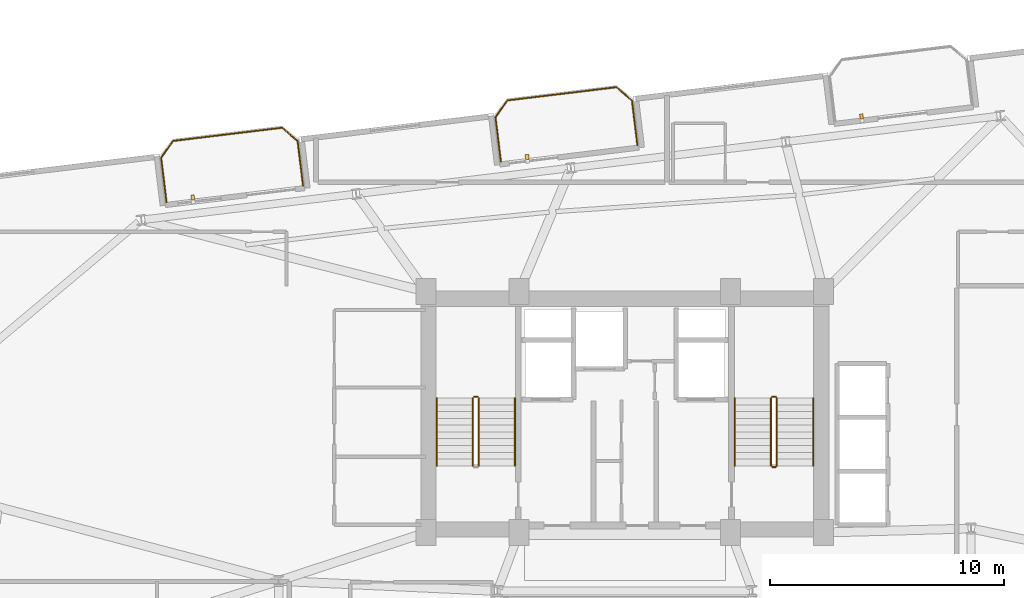
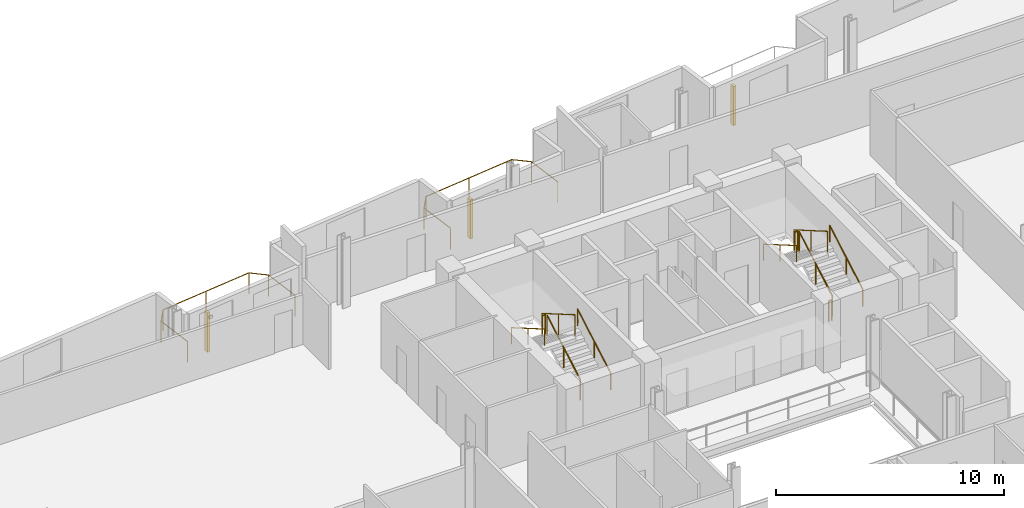
# One storey, part 22 of 23: 13 railings, 3 shading devices.
"""IFC4 building model written with IfcOpenShell, lengths in metres."""

from ifc_helpers import new_model, si_unit, direction, frame, origin, origin_2d, place, context, subcontext, project, spatial, rectangle, circle, extrude, source, transform, mapped, material, type_object, element, save


model = new_model("IFC4")

# Units and contexts
model_context = context("Model", 3, precision=1e-05, world=origin(), true_north=direction((0.0, 1.0)))
body_context = subcontext(model_context, "Body", "Model", "MODEL_VIEW")
ifc_project = project(units=[si_unit("LENGTHUNIT", "METRE"), si_unit("AREAUNIT", "SQUARE_METRE"), si_unit("VOLUMEUNIT", "CUBIC_METRE"), si_unit("PLANEANGLEUNIT", "RADIAN"), si_unit("MASSUNIT", "GRAM", prefix="KILO")], contexts=[model_context])

# Site, building, storey
site_placement = place(None, origin())
site = spatial("IfcSite", under=ifc_project, at=site_placement, CompositionType="ELEMENT")
building_placement = place(site_placement, origin())
building = spatial("IfcBuilding", under=site, at=building_placement, Name="Varnelok Gate Tower", CompositionType="ELEMENT")
storey_placement = place(building_placement, frame((0.0, 0.0, 193.10009765625)))
storey = spatial("IfcBuildingStorey", under=building, at=storey_placement, Name="L49", CompositionType="ELEMENT", Elevation=193.10009765625)

# Railings
ifc_material_1 = material(Name="Low-E Laminated Double Glazing IGU", Category="glass")
railing_type_1 = type_object("IfcRailingType", Name="RL-BALC-1150", PredefinedType="BALUSTRADE", material=ifc_material_1)
railing_1_placement = place(storey_placement, frame((19.603271484375, 42.869384765625, 0.0)))
element("IfcRailing", 1, at=railing_1_placement, inside=storey, type_object=railing_type_1, Name="L49 North Terrace Balustrade 4", PredefinedType="BALUSTRADE", context=body_context, shape_type="SweptSolid", body=[
    extrude(circle(Radius=0.02392578125, at=origin_2d()), frame((0.0, 0.0, 1.1259765625), z_axis=(-0.120418709125, 0.992723191274, 0.0), x_axis=(-0.992723191274, -0.120418709125, 0.0)), (0.0, 0.0, 1.0), 1.919921875),
    extrude(circle(Radius=0.02392578125, at=origin_2d()), frame((-0.231201171875, 1.906005859375, 1.1259765625), z_axis=(0.57815621837, 0.815926091726, 0.0), x_axis=(-0.815926091726, 0.57815621837, 0.0)), (0.0, 0.0, 1.0), 0.8779296875),
    extrude(circle(Radius=0.02392578125, at=origin_2d()), frame((0.2763671875, 2.622314453125, 1.1259765625), z_axis=(0.992730585037, 0.120357739811, 0.0), x_axis=(-0.120357739811, 0.992730585037, 0.0)), (0.0, 0.0, 1.0), 4.699951171875),
    extrude(circle(Radius=0.02392578125, at=origin_2d()), frame((4.942138671875, 3.18798828125, 1.1259765625), z_axis=(0.756285086452, -0.654242208979, 0.0), x_axis=(0.654242208979, 0.756285086452, 0.0)), (0.0, 0.0, 1.0), 0.878173828125),
    extrude(circle(Radius=0.02392578125, at=origin_2d()), frame((5.606201171875, 2.613525390625, 1.1259765625), z_axis=(0.120293392036, -0.992738384386, 0.0), x_axis=(0.992738384386, 0.120293392036, 0.0)), (0.0, 0.0, 1.0), 1.919921875),
    extrude(circle(Radius=0.02099609375, at=origin_2d()), origin(), (0.0, 0.0, 1.0), 1.101806640625),
    extrude(circle(Radius=0.02099609375, at=origin_2d()), frame((-0.231201171875, 1.906005859375, 0.0)), (0.0, 0.0, 1.0), 1.101806640625),
    extrude(circle(Radius=0.02099609375, at=origin_2d()), frame((0.2763671875, 2.622314453125, 0.0)), (0.0, 0.0, 1.0), 1.101806640625),
    extrude(circle(Radius=0.02099609375, at=origin_2d()), frame((2.609375, 2.9052734375, 0.0)), (0.0, 0.0, 1.0), 1.101806640625),
    extrude(circle(Radius=0.02099609375, at=origin_2d()), frame((4.942138671875, 3.18798828125, 0.0)), (0.0, 0.0, 1.0), 1.101806640625),
    extrude(circle(Radius=0.02099609375, at=origin_2d()), frame((5.606201171875, 2.613525390625, 0.0)), (0.0, 0.0, 1.0), 1.101806640625),
    extrude(circle(Radius=0.02099609375, at=origin_2d()), frame((5.837158203125, 0.70751953125, 0.0)), (0.0, 0.0, 1.0), 1.101806640625),
])
railing_2_placement = place(storey_placement, frame((33.8984375, 44.602294921875, 0.0)))
element("IfcRailing", 2, at=railing_2_placement, inside=storey, type_object=railing_type_1, Name="L49 North Terrace Balustrade 5", PredefinedType="BALUSTRADE", context=body_context, shape_type="SweptSolid", body=[
    extrude(circle(Radius=0.02392578125, at=origin_2d()), frame((0.0, 0.0, 1.1259765625), z_axis=(-0.120293392036, 0.992738384386, 0.0), x_axis=(-0.992738384386, -0.120293392036, 0.0)), (0.0, 0.0, 1.0), 1.919921875),
    extrude(circle(Radius=0.02392578125, at=origin_2d()), frame((-0.23095703125, 1.906005859375, 1.1259765625), z_axis=(0.57815621837, 0.815926091726, 0.0), x_axis=(-0.815926091726, 0.57815621837, 0.0)), (0.0, 0.0, 1.0), 0.8779296875),
    extrude(circle(Radius=0.02392578125, at=origin_2d()), frame((0.276611328125, 2.622314453125, 1.1259765625), z_axis=(0.992730585037, 0.120357739811, 0.0), x_axis=(-0.120357739811, 0.992730585037, 0.0)), (0.0, 0.0, 1.0), 4.699951171875),
    extrude(circle(Radius=0.02392578125, at=origin_2d()), frame((4.9423828125, 3.18798828125, 1.1259765625), z_axis=(0.756303655992, -0.654220742513, 0.0), x_axis=(0.654220742513, 0.756303655992, 0.0)), (0.0, 0.0, 1.0), 0.877685546875),
    extrude(circle(Radius=0.02392578125, at=origin_2d()), frame((5.606201171875, 2.61376953125, 1.1259765625), z_axis=(0.12040351024, -0.992725034802, 0.0), x_axis=(0.992725034802, 0.12040351024, 0.0)), (0.0, 0.0, 1.0), 1.920166015625),
    extrude(circle(Radius=0.02099609375, at=origin_2d()), origin(), (0.0, 0.0, 1.0), 1.101806640625),
    extrude(circle(Radius=0.02099609375, at=origin_2d()), frame((-0.23095703125, 1.906005859375, 0.0)), (0.0, 0.0, 1.0), 1.101806640625),
    extrude(circle(Radius=0.02099609375, at=origin_2d()), frame((0.276611328125, 2.622314453125, 0.0)), (0.0, 0.0, 1.0), 1.101806640625),
    extrude(circle(Radius=0.02099609375, at=origin_2d()), frame((2.609375, 2.9052734375, 0.0)), (0.0, 0.0, 1.0), 1.101806640625),
    extrude(circle(Radius=0.02099609375, at=origin_2d()), frame((4.9423828125, 3.18798828125, 0.0)), (0.0, 0.0, 1.0), 1.101806640625),
    extrude(circle(Radius=0.02099609375, at=origin_2d()), frame((5.606201171875, 2.61376953125, 0.0)), (0.0, 0.0, 1.0), 1.101806640625),
    extrude(circle(Radius=0.02099609375, at=origin_2d()), frame((5.83740234375, 0.70751953125, 0.0)), (0.0, 0.0, 1.0), 1.101806640625),
])
ifc_material_2 = material(Name="Brushed Stainless Steel AISI 316", Category="steel")
railing_type_2 = type_object("IfcRailingType", Name="RL-HANDRAIL-900", PredefinedType="HANDRAIL", material=ifc_material_2)
railing_3_placement = place(storey_placement, frame((34.5, 31.60009765625, 0.16796875)))
element("IfcRailing", 3, at=railing_3_placement, inside=storey, type_object=railing_type_2, Name="L49 ST-1 stair handrail 1", PredefinedType="HANDRAIL", context=body_context, shape_type="SweptSolid", body=[
    extrude(circle(Radius=0.02392578125, at=origin_2d()), frame((0.0, 0.0, 0.8759765625), z_axis=(0.0, 0.865038774852, 0.501705010941), x_axis=(-1.0, 0.0, 0.0)), (0.0, 0.0, 1.0), 3.352294921875),
    extrude(circle(Radius=0.02099609375, at=origin_2d()), origin(), (0.0, 0.0, 1.0), 0.851806640625),
    extrude(circle(Radius=0.02099609375, at=origin_2d()), frame((0.0, 1.449951171875, 0.8408203125)), (0.0, 0.0, 1.0), 0.851806640625),
    extrude(circle(Radius=0.02099609375, at=origin_2d()), frame((0.0, 2.89990234375, 1.681884765625)), (0.0, 0.0, 1.0), 0.851806640625),
])
railing_4_placement = place(storey_placement, frame((31.14990234375, 34.5, 2.01806640625)))
element("IfcRailing", 4, at=railing_4_placement, inside=storey, type_object=railing_type_2, Name="L49 ST-1 stair handrail 2", PredefinedType="HANDRAIL", context=body_context, shape_type="SweptSolid", body=[
    extrude(circle(Radius=0.02392578125, at=origin_2d()), frame((0.0, 0.0, 0.8759765625), z_axis=(0.0, -0.865038774852, 0.501705010941), x_axis=(1.0, 0.0, 0.0)), (0.0, 0.0, 1.0), 3.352294921875),
    extrude(circle(Radius=0.02099609375, at=origin_2d()), origin(), (0.0, 0.0, 1.0), 0.851806640625),
    extrude(circle(Radius=0.02099609375, at=origin_2d()), frame((0.0, -1.449951171875, 0.8408203125)), (0.0, 0.0, 1.0), 0.851806640625),
    extrude(circle(Radius=0.02099609375, at=origin_2d()), frame((0.0, -2.89990234375, 1.681884765625)), (0.0, 0.0, 1.0), 0.851806640625),
])
railing_5_placement = place(storey_placement, frame((47.25, 31.60009765625, 0.16796875)))
element("IfcRailing", 5, at=railing_5_placement, inside=storey, type_object=railing_type_2, Name="L49 ST-2 stair handrail 1", PredefinedType="HANDRAIL", context=body_context, shape_type="SweptSolid", body=[
    extrude(circle(Radius=0.02392578125, at=origin_2d()), frame((0.0, 0.0, 0.8759765625), z_axis=(0.0, 0.865038774852, 0.501705010941), x_axis=(-1.0, 0.0, 0.0)), (0.0, 0.0, 1.0), 3.352294921875),
    extrude(circle(Radius=0.02099609375, at=origin_2d()), origin(), (0.0, 0.0, 1.0), 0.851806640625),
    extrude(circle(Radius=0.02099609375, at=origin_2d()), frame((0.0, 1.449951171875, 0.8408203125)), (0.0, 0.0, 1.0), 0.851806640625),
    extrude(circle(Radius=0.02099609375, at=origin_2d()), frame((0.0, 2.89990234375, 1.681884765625)), (0.0, 0.0, 1.0), 0.851806640625),
])
railing_6_placement = place(storey_placement, frame((43.89990234375, 34.5, 2.01806640625)))
element("IfcRailing", 6, at=railing_6_placement, inside=storey, type_object=railing_type_2, Name="L49 ST-2 stair handrail 2", PredefinedType="HANDRAIL", context=body_context, shape_type="SweptSolid", body=[
    extrude(circle(Radius=0.02392578125, at=origin_2d()), frame((0.0, 0.0, 0.8759765625), z_axis=(0.0, -0.865038774852, 0.501705010941), x_axis=(1.0, 0.0, 0.0)), (0.0, 0.0, 1.0), 3.352294921875),
    extrude(circle(Radius=0.02099609375, at=origin_2d()), origin(), (0.0, 0.0, 1.0), 0.851806640625),
    extrude(circle(Radius=0.02099609375, at=origin_2d()), frame((0.0, -1.449951171875, 0.8408203125)), (0.0, 0.0, 1.0), 0.851806640625),
    extrude(circle(Radius=0.02099609375, at=origin_2d()), frame((0.0, -2.89990234375, 1.681884765625)), (0.0, 0.0, 1.0), 0.851806640625),
])
ifc_material_3 = material(Name="Galvanized Steel Grade S350GD", Category="steel")
railing_type_3 = type_object("IfcRailingType", Name="RL-STAIR-GUARD1120", PredefinedType="GUARDRAIL", material=ifc_material_3)
railing_7_placement = place(storey_placement, frame((32.949951171875, 31.60009765625, 0.16796875)))
element("IfcRailing", 7, at=railing_7_placement, inside=storey, type_object=railing_type_3, Name="L49 ST-1 stair guard 1", PredefinedType="GUARDRAIL", context=body_context, shape_type="SweptSolid", body=[
    extrude(circle(Radius=0.02392578125, at=origin_2d()), frame((0.0, 0.0, 1.09619140625), z_axis=(0.0, 0.865038774852, 0.501705010941), x_axis=(-1.0, 0.0, 0.0)), (0.0, 0.0, 1.0), 3.352294921875),
    extrude(circle(Radius=0.02099609375, at=origin_2d()), origin(), (0.0, 0.0, 1.0), 1.072021484375),
    extrude(circle(Radius=0.02099609375, at=origin_2d()), frame((0.0, 1.449951171875, 0.8408203125)), (0.0, 0.0, 1.0), 1.072021484375),
    extrude(circle(Radius=0.02099609375, at=origin_2d()), frame((0.0, 2.89990234375, 1.681884765625)), (0.0, 0.0, 1.0), 1.072021484375),
])
railing_8_placement = place(storey_placement, frame((32.89990234375, 34.550048828125, 1.849853515625)))
element("IfcRailing", 8, at=railing_8_placement, inside=storey, type_object=railing_type_3, Name="L49 ST-1 stair guard 2", PredefinedType="GUARDRAIL", context=body_context, shape_type="SweptSolid", body=[
    extrude(circle(Radius=0.02392578125, at=origin_2d()), frame((0.0, 0.0, 1.09619140625), z_axis=(-1.0, 0.0, 0.0), x_axis=(0.0, -1.0, 0.0)), (0.0, 0.0, 1.0), 0.14990234375),
    extrude(circle(Radius=0.02099609375, at=origin_2d()), origin(), (0.0, 0.0, 1.0), 1.072021484375),
    extrude(circle(Radius=0.02099609375, at=origin_2d()), frame((-0.14990234375, 0.0, 0.0)), (0.0, 0.0, 1.0), 1.072021484375),
])
railing_9_placement = place(storey_placement, frame((32.699951171875, 34.5, 2.01806640625)))
element("IfcRailing", 9, at=railing_9_placement, inside=storey, type_object=railing_type_3, Name="L49 ST-1 stair guard 3", PredefinedType="GUARDRAIL", context=body_context, shape_type="SweptSolid", body=[
    extrude(circle(Radius=0.02392578125, at=origin_2d()), frame((0.0, 0.0, 1.09619140625), z_axis=(0.0, -0.865038774852, 0.501705010941), x_axis=(1.0, 0.0, 0.0)), (0.0, 0.0, 1.0), 3.352294921875),
    extrude(circle(Radius=0.02099609375, at=origin_2d()), origin(), (0.0, 0.0, 1.0), 1.072021484375),
    extrude(circle(Radius=0.02099609375, at=origin_2d()), frame((0.0, -1.449951171875, 0.8408203125)), (0.0, 0.0, 1.0), 1.072021484375),
    extrude(circle(Radius=0.02099609375, at=origin_2d()), frame((0.0, -2.89990234375, 1.681884765625)), (0.0, 0.0, 1.0), 1.072021484375),
])
railing_10_placement = place(storey_placement, frame((45.699951171875, 31.60009765625, 0.16796875)))
element("IfcRailing", 10, at=railing_10_placement, inside=storey, type_object=railing_type_3, Name="L49 ST-2 stair guard 1", PredefinedType="GUARDRAIL", context=body_context, shape_type="SweptSolid", body=[
    extrude(circle(Radius=0.02392578125, at=origin_2d()), frame((0.0, 0.0, 1.09619140625), z_axis=(0.0, 0.865038774852, 0.501705010941), x_axis=(-1.0, 0.0, 0.0)), (0.0, 0.0, 1.0), 3.352294921875),
    extrude(circle(Radius=0.02099609375, at=origin_2d()), origin(), (0.0, 0.0, 1.0), 1.072021484375),
    extrude(circle(Radius=0.02099609375, at=origin_2d()), frame((0.0, 1.449951171875, 0.8408203125)), (0.0, 0.0, 1.0), 1.072021484375),
    extrude(circle(Radius=0.02099609375, at=origin_2d()), frame((0.0, 2.89990234375, 1.681884765625)), (0.0, 0.0, 1.0), 1.072021484375),
])
railing_11_placement = place(storey_placement, frame((45.64990234375, 34.550048828125, 1.849853515625)))
element("IfcRailing", 11, at=railing_11_placement, inside=storey, type_object=railing_type_3, Name="L49 ST-2 stair guard 2", PredefinedType="GUARDRAIL", context=body_context, shape_type="SweptSolid", body=[
    extrude(circle(Radius=0.02392578125, at=origin_2d()), frame((0.0, 0.0, 1.09619140625), z_axis=(-1.0, 0.0, 0.0), x_axis=(0.0, -1.0, 0.0)), (0.0, 0.0, 1.0), 0.14990234375),
    extrude(circle(Radius=0.02099609375, at=origin_2d()), origin(), (0.0, 0.0, 1.0), 1.072021484375),
    extrude(circle(Radius=0.02099609375, at=origin_2d()), frame((-0.14990234375, 0.0, 0.0)), (0.0, 0.0, 1.0), 1.072021484375),
])
railing_12_placement = place(storey_placement, frame((45.449951171875, 34.5, 2.01806640625)))
element("IfcRailing", 12, at=railing_12_placement, inside=storey, type_object=railing_type_3, Name="L49 ST-2 stair guard 3", PredefinedType="GUARDRAIL", context=body_context, shape_type="SweptSolid", body=[
    extrude(circle(Radius=0.02392578125, at=origin_2d()), frame((0.0, 0.0, 1.09619140625), z_axis=(0.0, -0.865038774852, 0.501705010941), x_axis=(1.0, 0.0, 0.0)), (0.0, 0.0, 1.0), 3.352294921875),
    extrude(circle(Radius=0.02099609375, at=origin_2d()), origin(), (0.0, 0.0, 1.0), 1.072021484375),
    extrude(circle(Radius=0.02099609375, at=origin_2d()), frame((0.0, -1.449951171875, 0.8408203125)), (0.0, 0.0, 1.0), 1.072021484375),
    extrude(circle(Radius=0.02099609375, at=origin_2d()), frame((0.0, -2.89990234375, 1.681884765625)), (0.0, 0.0, 1.0), 1.072021484375),
])
railing_13_placement = place(storey_placement, frame((45.64990234375, 31.550048828125, 0.0)))
element("IfcRailing", 13, at=railing_13_placement, inside=storey, type_object=railing_type_3, Name="L49 ST-2 stair guard 4", PredefinedType="GUARDRAIL", context=body_context, shape_type="SweptSolid", body=[
    extrude(circle(Radius=0.02392578125, at=origin_2d()), frame((0.0, 0.0, 1.09619140625), z_axis=(-1.0, 0.0, 0.0), x_axis=(0.0, -1.0, 0.0)), (0.0, 0.0, 1.0), 0.14990234375),
    extrude(circle(Radius=0.02099609375, at=origin_2d()), origin(), (0.0, 0.0, 1.0), 1.072021484375),
    extrude(circle(Radius=0.02099609375, at=origin_2d()), frame((-0.14990234375, 0.0, 0.0)), (0.0, 0.0, 1.0), 1.072021484375),
])

# Shading devices
ifc_material_4 = material(Name="Glazed Architectural Terracotta Ceramic", Category="masonry")
shading_device_type = type_object("IfcShadingDeviceType", Name="SHD-TERRA-FIN", PredefinedType="USERDEFINED", material=ifc_material_4)
shared_shape = source(origin(), body_context, "Body", "SweptSolid", [
    extrude(rectangle(XDim=0.139892578125, YDim=0.219970703125, at=origin_2d()), origin(), (0.0, 0.0, 1.0), 2.10009765625),
])
for number, where, z_axis, x_axis, name in (
    (14, (20.7265625, 43.075927734375, 0.099853515625), (0.0, 0.0, 1.0), (0.992732158755, 0.12034475881, 0.0), "L49 Terracotta Ceramic Baguette Sunscreen 4.1"),
    (15, (35.021728515625, 44.80908203125, 0.099853515625), (0.0, 0.0, 1.0), (0.992732158755, 0.12034475881, 0.0), "L49 Terracotta Ceramic Baguette Sunscreen 5.1"),
    (16, (49.317138671875, 46.5419921875, 0.099853515625), (0.0, 0.0, 1.0), (0.992732158755, 0.12034475881, 0.0), "L49 Terracotta Ceramic Baguette Sunscreen 6.1"),
):
    element("IfcShadingDevice", number, at=place(storey_placement, frame(where, z_axis=z_axis, x_axis=x_axis)), inside=storey, type_object=shading_device_type, Name=name, ObjectType="BAGUETTE", PredefinedType="USERDEFINED", context=body_context, shape_type="MappedRepresentation", body=[
        mapped(shared_shape, transform((0.0, 0.0, 0.0), scale=1.0)),
    ])

save(model, "model.ifc")
